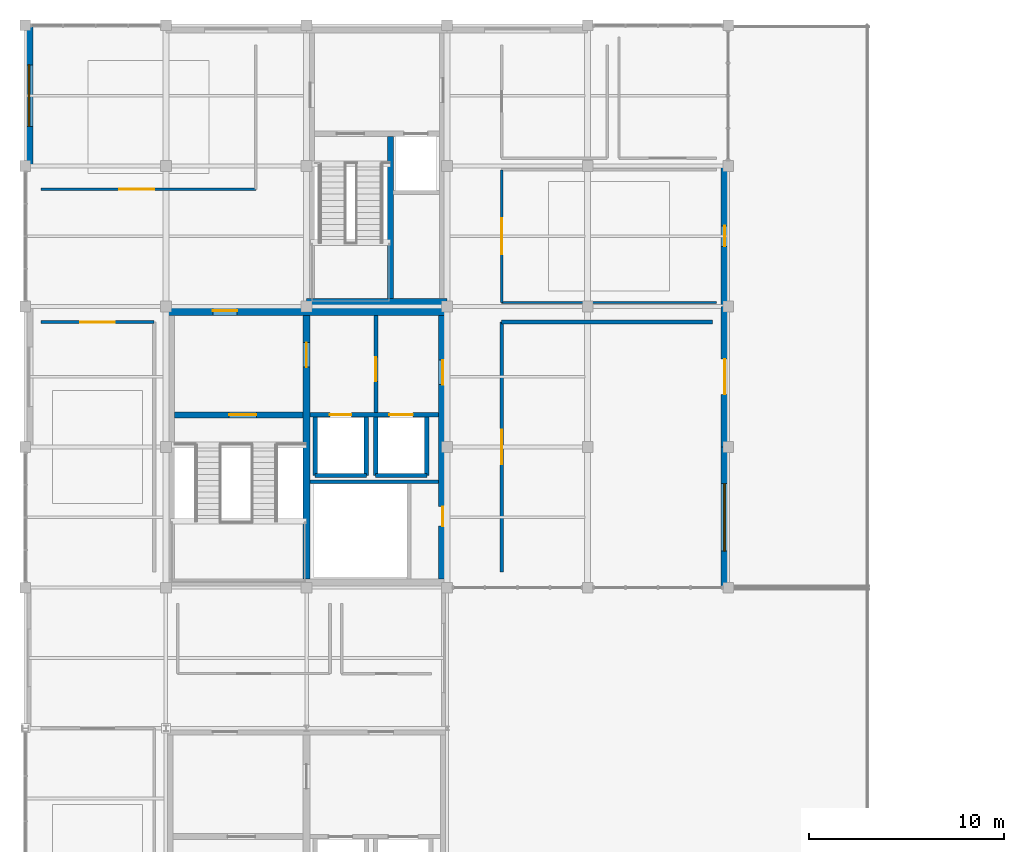
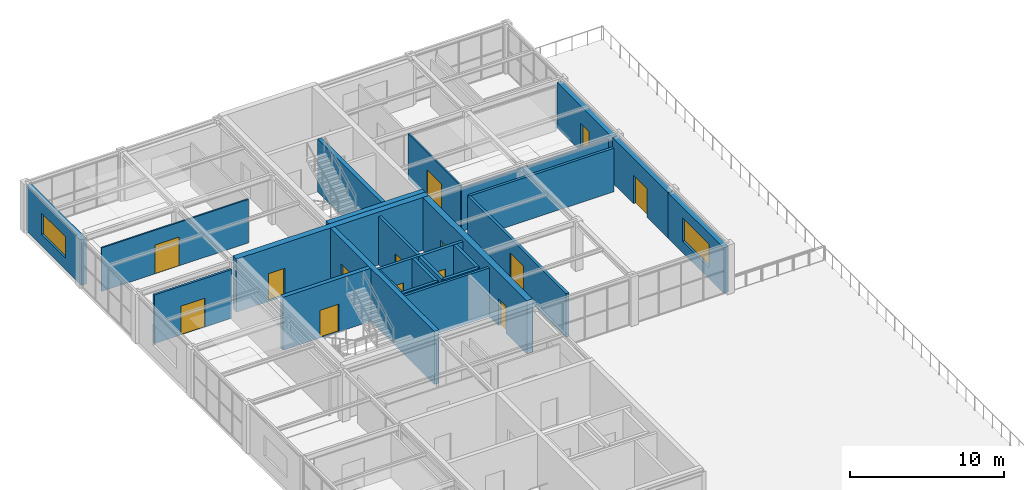
# One storey, part 22 of 30: 25 walls, 14 doors, 2 windows, 16 openings.
"""IFC4 building model written with IfcOpenShell, lengths in metres."""

from ifc_helpers import new_model, si_unit, direction, frame, frame_2d, origin, place, context, subcontext, project, spatial, rectangle, extrude, material, layer, layer_set, type_object, element, fill, save


model = new_model("IFC4")

# Units and contexts
model_context = context("Model", 3, precision=1e-05, world=origin(), true_north=direction((0.0, 1.0)))
body_context = subcontext(model_context, "Body", "Model", "MODEL_VIEW")
ifc_project = project(units=[si_unit("LENGTHUNIT", "METRE"), si_unit("AREAUNIT", "SQUARE_METRE"), si_unit("VOLUMEUNIT", "CUBIC_METRE"), si_unit("PLANEANGLEUNIT", "RADIAN"), si_unit("MASSUNIT", "GRAM", prefix="KILO")], contexts=[model_context])

# Site, building, storey
site_placement = place(None, origin())
site = spatial("IfcSite", under=ifc_project, at=site_placement, CompositionType="ELEMENT")
building_placement = place(site_placement, origin())
building = spatial("IfcBuilding", under=site, at=building_placement, Name="Leyfeld Transit Interchange", CompositionType="ELEMENT")
storey_placement = place(building_placement, frame((0.0, 0.0, 13.800048828125)))
storey = spatial("IfcBuildingStorey", under=building, at=storey_placement, Name="L03", CompositionType="ELEMENT", Elevation=13.800048828125)

# Wall, opening, window
ifc_material_1 = material(Name="Clinker brick masonry - Insulated", Category="masonry")
ifc_layer_1 = layer(ifc_material_1, 0.3798828125, Name="Clinker brick masonry - Insulated")
ifc_layer_set_1 = layer_set([ifc_layer_1], Name="Clinker brick masonry - Insulated")
wall_type_1 = type_object("IfcWallType", Name="WL-EXT-BRK-380", PredefinedType="SOLIDWALL", material=ifc_layer_set_1)
wall_1_placement = place(storey_placement, frame((0.18994140625, 115.199951171875, 0.0), z_axis=(0.0, 0.0, 1.0), x_axis=(0.0, 1.0, 0.0)))
wall_1 = element("IfcWall", 1, at=wall_1_placement, inside=storey, type_object=wall_type_1, Name="External Facade Wall EW-L03-104", PredefinedType="SOLIDWALL", context=body_context, shape_type="SweptSolid", body=[
    extrude(rectangle(XDim=7.199951171875, YDim=0.3798828125, at=frame_2d((3.60009765625, 0.0))), origin(), (0.0, 0.0, 1.0), 3.599853515625),
])
opening_1_placement = place(wall_1_placement, frame((2.02490234375, 0.0, 0.89990234375)))
opening_1 = element("IfcOpeningElement", 2, at=opening_1_placement, cuts=wall_1, Name="Opening WU-20", PredefinedType="OPENING", context=body_context, shape_type="SweptSolid", body=[
    extrude(rectangle(XDim=3.14990234375, YDim=1.699951171875, at=frame_2d((1.574951171875, 0.85009765625))), frame((0.0, 0.199951171875, 0.0), z_axis=(0.0, -1.0, 0.0), x_axis=(1.0, 0.0, 0.0)), (0.0, 0.0, 1.0), 0.39990234375),
])
ifc_material_2 = material(Name="Triple low-E insulated glazing", Category="glass")
window_type_1 = type_object("IfcWindowType", Name="WIN-UNQ-20", PartitioningType="SINGLE_PANEL", PredefinedType="WINDOW", material=ifc_material_2)
window_1_placement = place(opening_1_placement, origin())
window_1 = element("IfcWindow", 3, at=window_1_placement, inside=storey, type_object=window_type_1, Name="Facade Window L03 072", OverallHeight=1.699951171875, OverallWidth=3.14990234375, PartitioningType="SINGLE_PANEL", PredefinedType="WINDOW", context=body_context, shape_type="SweptSolid", body=[
    extrude(rectangle(XDim=3.14990234375, YDim=1.699951171875, at=frame_2d((1.574951171875, 0.85009765625))), frame((0.0, 0.030029296875, 0.0), z_axis=(0.0, -1.0, 0.0), x_axis=(1.0, 0.0, 0.0)), (0.0, 0.0, 1.0), 0.06005859375),
])
fill(opening_1, window_1)

# Wall, opening, door
wall_2_placement = place(storey_placement, frame((35.81005859375, 115.199951171875, 0.0), z_axis=(0.0, 0.0, 1.0), x_axis=(0.0, -1.0, 0.0)))
wall_2 = element("IfcWall", 4, at=wall_2_placement, inside=storey, type_object=wall_type_1, Name="External Facade Wall EW-L03-107", PredefinedType="SOLIDWALL", context=body_context, shape_type="SweptSolid", body=[
    extrude(rectangle(XDim=7.199951171875, YDim=0.3798828125, at=frame_2d((3.60009765625, 0.0))), origin(), (0.0, 0.0, 1.0), 3.599853515625),
])
opening_2_placement = place(wall_2_placement, frame((3.074951171875, 0.0, 0.0)))
opening_2 = element("IfcOpeningElement", 5, at=opening_2_placement, cuts=wall_2, Name="Opening DE-07", PredefinedType="OPENING", context=body_context, shape_type="SweptSolid", body=[
    extrude(rectangle(XDim=1.050048828125, YDim=2.199951171875, at=frame_2d((0.52490234375, 1.10009765625))), frame((0.0, 0.199951171875, 0.0), z_axis=(0.0, -1.0, 0.0), x_axis=(1.0, 0.0, 0.0)), (0.0, 0.0, 1.0), 0.39990234375),
])
ifc_material_3 = material(Name="Anodised aluminium EN AW-6060 T66", Category="aluminium")
door_type_1 = type_object("IfcDoorType", Name="DR-EXT-TER-1050x2200", OperationType="NOTDEFINED", PredefinedType="DOOR", material=ifc_material_3)
door_1_placement = place(opening_2_placement, origin())
door_1 = element("IfcDoor", 6, at=door_1_placement, inside=storey, type_object=door_type_1, Name="DR-TER-L03-019", OperationType="SINGLE_SWING_RIGHT", OverallHeight=2.199951171875, OverallWidth=1.050048828125, PredefinedType="DOOR", context=body_context, shape_type="SweptSolid", body=[
    extrude(rectangle(XDim=1.050048828125, YDim=2.199951171875, at=frame_2d((0.52490234375, 1.10009765625))), frame((0.0, 0.02490234375, 0.0), z_axis=(0.0, -1.0, 0.0), x_axis=(1.0, 0.0, 0.0)), (0.0, 0.0, 1.0), 0.050048828125),
])
fill(opening_2, door_1)

wall_3_placement = place(storey_placement, frame((35.81005859375, 108.0, 0.0), z_axis=(0.0, 0.0, 1.0), x_axis=(0.0, -1.0, 0.0)))
wall_3 = element("IfcWall", 7, at=wall_3_placement, inside=storey, type_object=wall_type_1, Name="External Facade Wall EW-L03-108", PredefinedType="SOLIDWALL", context=body_context, shape_type="SweptSolid", body=[
    extrude(rectangle(XDim=7.199951171875, YDim=0.3798828125, at=frame_2d((3.60009765625, 0.0))), origin(), (0.0, 0.0, 1.0), 3.599853515625),
])
opening_3_placement = place(wall_3_placement, frame((2.699951171875, 0.0, 0.0)))
opening_3 = element("IfcOpeningElement", 8, at=opening_3_placement, cuts=wall_3, Name="Opening DE-06", PredefinedType="OPENING", context=body_context, shape_type="SweptSolid", body=[
    extrude(rectangle(XDim=1.800048828125, YDim=2.25, at=frame_2d((0.89990234375, 1.125))), frame((0.0, 0.199951171875, 0.0), z_axis=(0.0, -1.0, 0.0), x_axis=(1.0, 0.0, 0.0)), (0.0, 0.0, 1.0), 0.39990234375),
])
door_type_2 = type_object("IfcDoorType", Name="DR-EXT-TER-1800x2250", OperationType="NOTDEFINED", PredefinedType="DOOR", material=ifc_material_3)
door_2_placement = place(opening_3_placement, origin())
door_2 = element("IfcDoor", 9, at=door_2_placement, inside=storey, type_object=door_type_2, Name="DR-TER-L03-020", OperationType="SINGLE_SWING_LEFT", OverallHeight=2.25, OverallWidth=1.800048828125, PredefinedType="DOOR", context=body_context, shape_type="SweptSolid", body=[
    extrude(rectangle(XDim=1.800048828125, YDim=2.25, at=frame_2d((0.89990234375, 1.125))), frame((0.0, 0.02490234375, 0.0), z_axis=(0.0, -1.0, 0.0), x_axis=(1.0, 0.0, 0.0)), (0.0, 0.0, 1.0), 0.050048828125),
])
fill(opening_3, door_2)

# Wall, opening, window
wall_4_placement = place(storey_placement, frame((35.81005859375, 100.800048828125, 0.0), z_axis=(0.0, 0.0, 1.0), x_axis=(0.0, -1.0, 0.0)))
wall_4 = element("IfcWall", 10, at=wall_4_placement, inside=storey, type_object=wall_type_1, Name="External Facade Wall EW-L03-109", PredefinedType="SOLIDWALL", context=body_context, shape_type="SweptSolid", body=[
    extrude(rectangle(XDim=7.199951171875, YDim=0.3798828125, at=frame_2d((3.60009765625, 0.0))), origin(), (0.0, 0.0, 1.0), 3.599853515625),
])
opening_4_placement = place(wall_4_placement, frame((1.875, 0.0, 0.89990234375)))
opening_4 = element("IfcOpeningElement", 11, at=opening_4_placement, cuts=wall_4, Name="Opening WU-23", PredefinedType="OPENING", context=body_context, shape_type="SweptSolid", body=[
    extrude(rectangle(XDim=3.449951171875, YDim=1.85009765625, at=frame_2d((1.72509765625, 0.925048828125))), frame((0.0, 0.199951171875, 0.0), z_axis=(0.0, -1.0, 0.0), x_axis=(1.0, 0.0, 0.0)), (0.0, 0.0, 1.0), 0.39990234375),
])
window_type_2 = type_object("IfcWindowType", Name="WIN-UNQ-23", PartitioningType="SINGLE_PANEL", PredefinedType="WINDOW", material=ifc_material_2)
window_2_placement = place(opening_4_placement, origin())
window_2 = element("IfcWindow", 12, at=window_2_placement, inside=storey, type_object=window_type_2, Name="Facade Window L03 075", OverallHeight=1.85009765625, OverallWidth=3.449951171875, PartitioningType="SINGLE_PANEL", PredefinedType="WINDOW", context=body_context, shape_type="SweptSolid", body=[
    extrude(rectangle(XDim=3.449951171875, YDim=1.85009765625, at=frame_2d((1.72509765625, 0.925048828125))), frame((0.0, 0.030029296875, 0.0), z_axis=(0.0, -1.0, 0.0), x_axis=(1.0, 0.0, 0.0)), (0.0, 0.0, 1.0), 0.06005859375),
])
fill(opening_4, window_2)

# Wall, opening, door
ifc_material_4 = material(Name="Gypsum plasterboard acoustic stud", Category="gypsum")
ifc_layer_2 = layer(ifc_material_4, 0.159912109375, Name="Gypsum plasterboard acoustic stud")
ifc_layer_set_2 = layer_set([ifc_layer_2], Name="Gypsum plasterboard acoustic stud")
wall_type_2 = type_object("IfcWallType", Name="WL-INT-ACU-160", PredefinedType="PARTITIONING", material=ifc_layer_set_2)
wall_5_placement = place(storey_placement, frame((0.800048828125, 107.199951171875, 0.0), z_axis=(0.0, 0.0, 1.0), x_axis=(1.0, 0.0, 0.0)))
wall_5 = element("IfcWall", 13, at=wall_5_placement, inside=storey, type_object=wall_type_2, Name="Interior Partition L03-CRI-01 N", PredefinedType="PARTITIONING", context=body_context, shape_type="SweptSolid", body=[
    extrude(rectangle(XDim=5.800048828125, YDim=0.159912109375, at=frame_2d((2.89990234375, 0.0))), origin(), (0.0, 0.0, 1.0), 3.849853515625),
])
opening_5_placement = place(wall_5_placement, frame((2.010009765625, 0.0, 0.0)))
opening_5 = element("IfcOpeningElement", 14, at=opening_5_placement, cuts=wall_5, Name="Opening DU-19", PredefinedType="OPENING", context=body_context, shape_type="SweptSolid", body=[
    extrude(rectangle(XDim=1.780029296875, YDim=2.280029296875, at=frame_2d((0.89013671875, 1.14013671875))), frame((0.0, 0.08984375, 0.0), z_axis=(0.0, -1.0, 0.0), x_axis=(1.0, 0.0, 0.0)), (0.0, 0.0, 1.0), 0.179931640625),
])
ifc_material_5 = material(Name="Austrian larch glulam GL28h", Category="wood")
door_type_3 = type_object("IfcDoorType", Name="DR-UNQ-19", OperationType="NOTDEFINED", PredefinedType="DOOR", material=ifc_material_5)
door_3_placement = place(opening_5_placement, origin())
door_3 = element("IfcDoor", 15, at=door_3_placement, inside=storey, type_object=door_type_3, Name="DR-L03-CRI-01", OperationType="DOUBLE_DOOR_SINGLE_SWING", OverallHeight=2.280029296875, OverallWidth=1.780029296875, PredefinedType="DOOR", context=body_context, shape_type="SweptSolid", body=[
    extrude(rectangle(XDim=1.780029296875, YDim=2.280029296875, at=frame_2d((0.89013671875, 1.14013671875))), frame((0.0, 0.02490234375, 0.0), z_axis=(0.0, -1.0, 0.0), x_axis=(1.0, 0.0, 0.0)), (0.0, 0.0, 1.0), 0.050048828125),
])
fill(opening_5, door_3)

ifc_material_6 = material(Name="Concrete C35/45", Category="concrete")
ifc_layer_3 = layer(ifc_material_6, 0.199951171875, Name="Concrete C35/45")
ifc_layer_set_3 = layer_set([ifc_layer_3], Name="Concrete C35/45")
wall_type_3 = type_object("IfcWallType", Name="WL-INT-FFL-200", PredefinedType="PARTITIONING", material=ifc_layer_set_3)
wall_6_placement = place(storey_placement, frame((17.949951171875, 102.56005859375, 0.0), z_axis=(0.0, 0.0, 1.0), x_axis=(0.0, 1.0, 0.0)))
wall_6 = element("IfcWall", 16, at=wall_6_placement, inside=storey, type_object=wall_type_3, Name="Core K1 Firefighting Lobby Compartment Wall L03", PredefinedType="PARTITIONING", context=body_context, shape_type="SweptSolid", body=[
    extrude(rectangle(XDim=4.989990234375, YDim=0.199951171875, at=frame_2d((2.4951171875, 0.0))), origin(), (0.0, 0.0, 1.0), 3.849853515625),
])
opening_6_placement = place(wall_6_placement, frame((1.60009765625, 0.0, 0.0)))
opening_6 = element("IfcOpeningElement", 17, at=opening_6_placement, cuts=wall_6, Name="Opening DI-02", PredefinedType="OPENING", context=body_context, shape_type="SweptSolid", body=[
    extrude(rectangle(XDim=1.25, YDim=2.199951171875, at=frame_2d((0.625, 1.10009765625))), frame((0.0, 0.10986328125, 0.0), z_axis=(0.0, -1.0, 0.0), x_axis=(1.0, 0.0, 0.0)), (0.0, 0.0, 1.0), 0.219970703125),
])
ifc_material_7 = material(Name="Galvanised steel S275JR", Category="steel")
door_type_4 = type_object("IfcDoorType", Name="DR-FFL-1250x2200", OperationType="NOTDEFINED", PredefinedType="DOOR", material=ifc_material_7)
door_4_placement = place(opening_6_placement, origin())
door_4 = element("IfcDoor", 18, at=door_4_placement, inside=storey, type_object=door_type_4, Name="DR-FFL-CON-K1-L03", OperationType="SINGLE_SWING_RIGHT", OverallHeight=2.199951171875, OverallWidth=1.25, PredefinedType="DOOR", context=body_context, shape_type="SweptSolid", body=[
    extrude(rectangle(XDim=1.25, YDim=2.199951171875, at=frame_2d((0.625, 1.10009765625))), frame((0.0, 0.02490234375, 0.0), z_axis=(0.0, -1.0, 0.0), x_axis=(1.0, 0.0, 0.0)), (0.0, 0.0, 1.0), 0.050048828125),
])
fill(opening_6, door_4)

# Wall
wall_7_placement = place(storey_placement, frame((24.39990234375, 107.199951171875, 0.0), z_axis=(0.0, 0.0, 1.0), x_axis=(1.0, 0.0, 0.0)))
element("IfcWall", 19, at=wall_7_placement, inside=storey, type_object=wall_type_3, Name="Interior Partition L03-OCC-01 N", PredefinedType="PARTITIONING", context=body_context, shape_type="SweptSolid", body=[
    extrude(rectangle(XDim=10.800048828125, YDim=0.199951171875, at=frame_2d((5.39990234375, 0.0))), origin(), (0.0, 0.0, 1.0), 3.449951171875),
])

# Wall, opening, door
wall_8_placement = place(storey_placement, frame((24.39990234375, 94.39990234375, 0.0), z_axis=(0.0, 0.0, 1.0), x_axis=(0.0, 1.0, 0.0)))
wall_8 = element("IfcWall", 20, at=wall_8_placement, inside=storey, type_object=wall_type_3, Name="Interior Partition L03-OCC-01 W", PredefinedType="PARTITIONING", context=body_context, shape_type="SweptSolid", body=[
    extrude(rectangle(XDim=12.800048828125, YDim=0.199951171875, at=frame_2d((6.39990234375, 0.0))), origin(), (0.0, 0.0, 1.0), 3.449951171875),
])
opening_7_placement = place(wall_8_placement, frame((5.510009765625, 0.0, 0.0)))
opening_7 = element("IfcOpeningElement", 21, at=opening_7_placement, cuts=wall_8, Name="Opening DU-19", PredefinedType="OPENING", context=body_context, shape_type="SweptSolid", body=[
    extrude(rectangle(XDim=1.780029296875, YDim=2.280029296875, at=frame_2d((0.89013671875, 1.14013671875))), frame((0.0, 0.10986328125, 0.0), z_axis=(0.0, -1.0, 0.0), x_axis=(1.0, 0.0, 0.0)), (0.0, 0.0, 1.0), 0.219970703125),
])
door_5_placement = place(opening_7_placement, origin())
door_5 = element("IfcDoor", 22, at=door_5_placement, inside=storey, type_object=door_type_3, Name="DR-L03-OCC-01", OperationType="DOUBLE_DOOR_SINGLE_SWING", OverallHeight=2.280029296875, OverallWidth=1.780029296875, PredefinedType="DOOR", context=body_context, shape_type="SweptSolid", body=[
    extrude(rectangle(XDim=1.780029296875, YDim=2.280029296875, at=frame_2d((0.89013671875, 1.14013671875))), frame((0.0, 0.02490234375, 0.0), z_axis=(0.0, -1.0, 0.0), x_axis=(1.0, 0.0, 0.0)), (0.0, 0.0, 1.0), 0.050048828125),
])
fill(opening_7, door_5)

ifc_layer_4 = layer(ifc_material_4, 0.114990234375, Name="Gypsum plasterboard acoustic stud")
ifc_layer_set_4 = layer_set([ifc_layer_4], Name="Gypsum plasterboard acoustic stud")
wall_type_4 = type_object("IfcWallType", Name="WL-INT-OFF-115", PredefinedType="PARTITIONING", material=ifc_layer_set_4)
wall_9_placement = place(storey_placement, frame((11.800048828125, 114.0, 0.0), z_axis=(0.0, 0.0, 1.0), x_axis=(-1.0, 0.0, 0.0)))
wall_9 = element("IfcWall", 23, at=wall_9_placement, inside=storey, type_object=wall_type_4, Name="Interior Partition L03-SUP-02 S", PredefinedType="PARTITIONING", context=body_context, shape_type="SweptSolid", body=[
    extrude(rectangle(XDim=11.0, YDim=0.114990234375, at=frame_2d((5.5, 0.0))), origin(), (0.0, 0.0, 1.0), 3.449951171875),
])
opening_8_placement = place(wall_9_placement, frame((5.2099609375, 0.0, 0.0)))
opening_8 = element("IfcOpeningElement", 24, at=opening_8_placement, cuts=wall_9, Name="Opening DU-19", PredefinedType="OPENING", context=body_context, shape_type="SweptSolid", body=[
    extrude(rectangle(XDim=1.780029296875, YDim=2.280029296875, at=frame_2d((0.89013671875, 1.14013671875))), frame((0.0, 0.0673828125, 0.0), z_axis=(0.0, -1.0, 0.0), x_axis=(1.0, 0.0, 0.0)), (0.0, 0.0, 1.0), 0.135009765625),
])
door_6_placement = place(opening_8_placement, origin())
door_6 = element("IfcDoor", 25, at=door_6_placement, inside=storey, type_object=door_type_3, Name="DR-L03-SUP-02", OperationType="DOUBLE_DOOR_SINGLE_SWING", OverallHeight=2.280029296875, OverallWidth=1.780029296875, PredefinedType="DOOR", context=body_context, shape_type="SweptSolid", body=[
    extrude(rectangle(XDim=1.780029296875, YDim=2.280029296875, at=frame_2d((0.89013671875, 1.14013671875))), frame((0.0, 0.02490234375, 0.0), z_axis=(0.0, -1.0, 0.0), x_axis=(1.0, 0.0, 0.0)), (0.0, 0.0, 1.0), 0.050048828125),
])
fill(opening_8, door_6)

# Wall
wall_10_placement = place(storey_placement, frame((35.39990234375, 108.199951171875, 0.0), z_axis=(0.0, 0.0, 1.0), x_axis=(-1.0, 0.0, 0.0)))
element("IfcWall", 26, at=wall_10_placement, inside=storey, type_object=wall_type_4, Name="Interior Partition L03-OFF-V5 S", PredefinedType="PARTITIONING", context=body_context, shape_type="SweptSolid", body=[
    extrude(rectangle(XDim=11.0, YDim=0.114990234375, at=frame_2d((5.5, 0.0))), origin(), (0.0, 0.0, 1.0), 3.449951171875),
])

# Wall, opening, door
wall_11_placement = place(storey_placement, frame((24.39990234375, 108.199951171875, 0.0), z_axis=(0.0, 0.0, 1.0), x_axis=(0.0, 1.0, 0.0)))
wall_11 = element("IfcWall", 27, at=wall_11_placement, inside=storey, type_object=wall_type_4, Name="Interior Partition L03-OFF-V5 W", PredefinedType="PARTITIONING", context=body_context, shape_type="SweptSolid", body=[
    extrude(rectangle(XDim=6.800048828125, YDim=0.114990234375, at=frame_2d((3.39990234375, 0.0))), origin(), (0.0, 0.0, 1.0), 3.6298828125),
])
opening_9_placement = place(wall_11_placement, frame((2.47998046875, 0.0, 0.0)))
opening_9 = element("IfcOpeningElement", 28, at=opening_9_placement, cuts=wall_11, Name="Opening DU-20", PredefinedType="OPENING", context=body_context, shape_type="SweptSolid", body=[
    extrude(rectangle(XDim=1.840087890625, YDim=2.239990234375, at=frame_2d((0.919921875, 1.1201171875))), frame((0.0, 0.0673828125, 0.0), z_axis=(0.0, -1.0, 0.0), x_axis=(1.0, 0.0, 0.0)), (0.0, 0.0, 1.0), 0.135009765625),
])
door_type_5 = type_object("IfcDoorType", Name="DR-UNQ-20", OperationType="NOTDEFINED", PredefinedType="DOOR", material=ifc_material_5)
door_7_placement = place(opening_9_placement, origin())
door_7 = element("IfcDoor", 29, at=door_7_placement, inside=storey, type_object=door_type_5, Name="DR-L03-OFF-V5", OperationType="DOUBLE_DOOR_SINGLE_SWING", OverallHeight=2.239990234375, OverallWidth=1.840087890625, PredefinedType="DOOR", context=body_context, shape_type="SweptSolid", body=[
    extrude(rectangle(XDim=1.840087890625, YDim=2.239990234375, at=frame_2d((0.919921875, 1.1201171875))), frame((0.0, 0.02490234375, 0.0), z_axis=(0.0, -1.0, 0.0), x_axis=(1.0, 0.0, 0.0)), (0.0, 0.0, 1.0), 0.050048828125),
])
fill(opening_9, door_7)

# Wall
ifc_material_8 = material(Name="Calcium silicate masonry", Category="masonry")
ifc_layer_5 = layer(ifc_material_8, 0.18994140625, Name="Calcium silicate masonry")
ifc_layer_set_5 = layer_set([ifc_layer_5], Name="Calcium silicate masonry")
wall_type_5 = type_object("IfcWallType", Name="WL-INT-PLT-190", PredefinedType="PARTITIONING", material=ifc_layer_set_5)
wall_12_placement = place(storey_placement, frame((14.580078125, 99.02001953125, 0.0), z_axis=(0.0, 0.0, 1.0), x_axis=(1.0, 0.0, 0.0)))
element("IfcWall", 30, at=wall_12_placement, inside=storey, type_object=wall_type_5, Name="Core K1 Riser Compartment Wall L03", PredefinedType="PARTITIONING", context=body_context, shape_type="SweptSolid", body=[
    extrude(rectangle(XDim=6.56982421875, YDim=0.18994140625, at=frame_2d((3.284912109375, 0.0))), origin(), (0.0, 0.0, 1.0), 3.849853515625),
])

# Wall, openings, doors
ifc_layer_6 = layer(ifc_material_6, 0.219970703125, Name="Concrete C35/45")
ifc_layer_set_6 = layer_set([ifc_layer_6], Name="Concrete C35/45")
wall_type_6 = type_object("IfcWallType", Name="WL-INT-SHF-220", PredefinedType="PARTITIONING", material=ifc_layer_set_6)
wall_13_placement = place(storey_placement, frame((14.580078125, 102.449951171875, 0.0), z_axis=(0.0, 0.0, 1.0), x_axis=(1.0, 0.0, 0.0)))
wall_13 = element("IfcWall", 31, at=wall_13_placement, inside=storey, type_object=wall_type_6, Name="Core K1 Lift Shaft Front Wall L03", PredefinedType="PARTITIONING", context=body_context, shape_type="SweptSolid", body=[
    extrude(rectangle(XDim=6.56982421875, YDim=0.219970703125, at=frame_2d((3.284912109375, 0.0))), origin(), (0.0, 0.0, 1.0), 3.849853515625),
])
opening_10_placement = place(wall_13_placement, frame((1.02001953125, 0.0, 0.0)))
opening_10 = element("IfcOpeningElement", 32, at=opening_10_placement, cuts=wall_13, Name="Opening LD-01", PredefinedType="OPENING", context=body_context, shape_type="SweptSolid", body=[
    extrude(rectangle(XDim=1.10009765625, YDim=2.14990234375, at=frame_2d((0.550048828125, 1.074951171875))), frame((0.0, 0.119873046875, 0.0), z_axis=(0.0, -1.0, 0.0), x_axis=(1.0, 0.0, 0.0)), (0.0, 0.0, 1.0), 0.239990234375),
])
opening_11_placement = place(wall_13_placement, frame((4.070068359375, 0.0, 0.0)))
opening_11 = element("IfcOpeningElement", 33, at=opening_11_placement, cuts=wall_13, Name="Opening LD-02", PredefinedType="OPENING", context=body_context, shape_type="SweptSolid", body=[
    extrude(rectangle(XDim=1.199951171875, YDim=2.14990234375, at=frame_2d((0.60009765625, 1.074951171875))), frame((0.0, 0.119873046875, 0.0), z_axis=(0.0, -1.0, 0.0), x_axis=(1.0, 0.0, 0.0)), (0.0, 0.0, 1.0), 0.239990234375),
])
ifc_material_9 = material(Name="Stainless steel EN 1.4404", Category="steel")
door_type_6 = type_object("IfcDoorType", Name="DR-LD-FFL-1100x2150", OperationType="NOTDEFINED", PredefinedType="DOOR", material=ifc_material_9)
door_8_placement = place(opening_10_placement, origin())
door_8 = element("IfcDoor", 34, at=door_8_placement, inside=storey, type_object=door_type_6, Name="LD-FFL-1-L03", OperationType="DOUBLE_DOOR_SLIDING", OverallHeight=2.14990234375, OverallWidth=1.10009765625, PredefinedType="DOOR", context=body_context, shape_type="SweptSolid", body=[
    extrude(rectangle(XDim=1.10009765625, YDim=2.14990234375, at=frame_2d((0.550048828125, 1.074951171875))), frame((0.0, 0.02490234375, 0.0), z_axis=(0.0, -1.0, 0.0), x_axis=(1.0, 0.0, 0.0)), (0.0, 0.0, 1.0), 0.050048828125),
])
fill(opening_10, door_8)
door_type_7 = type_object("IfcDoorType", Name="DR-LD-PAS-1200x2150", OperationType="NOTDEFINED", PredefinedType="DOOR", material=ifc_material_9)
door_9_placement = place(opening_11_placement, origin())
door_9 = element("IfcDoor", 35, at=door_9_placement, inside=storey, type_object=door_type_7, Name="LD-PL-1-L03", OperationType="DOUBLE_DOOR_SLIDING", OverallHeight=2.14990234375, OverallWidth=1.199951171875, PredefinedType="DOOR", context=body_context, shape_type="SweptSolid", body=[
    extrude(rectangle(XDim=1.199951171875, YDim=2.14990234375, at=frame_2d((0.60009765625, 1.074951171875))), frame((0.0, 0.02490234375, 0.0), z_axis=(0.0, -1.0, 0.0), x_axis=(1.0, 0.0, 0.0)), (0.0, 0.0, 1.0), 0.050048828125),
])
fill(opening_11, door_9)

# Walls
wall_14_placement = place(storey_placement, frame((14.840087890625, 99.340087890625, 0.0), z_axis=(0.0, 0.0, 1.0), x_axis=(1.0, 0.0, 0.0)))
element("IfcWall", 36, at=wall_14_placement, inside=storey, type_object=wall_type_6, Name="Core K1 Lift FFL-1 Shaft Back Wall L03", PredefinedType="PARTITIONING", context=body_context, shape_type="SweptSolid", body=[
    extrude(rectangle(XDim=2.619873046875, YDim=0.219970703125, at=frame_2d((1.31005859375, 0.0))), origin(), (0.0, 0.0, 1.0), 3.849853515625),
])
for number, where, z_axis, x_axis, name in (
    (37, (14.840087890625, 99.340087890625, 0.0), (0.0, 0.0, 1.0), (0.0, 1.0, 0.0), "Core K1 Lift FFL-1 Shaft Wall W L03"),
    (38, (17.4599609375, 99.340087890625, 0.0), (0.0, 0.0, 1.0), (0.0, 1.0, 0.0), "Core K1 Lift FFL-1 Shaft Wall E L03"),
):
    element("IfcWall", number, at=place(storey_placement, frame(where, z_axis=z_axis, x_axis=x_axis)), inside=storey, type_object=wall_type_6, Name=name, PredefinedType="PARTITIONING", context=body_context, shape_type="SweptSolid", body=[
        extrude(rectangle(XDim=3.0, YDim=0.219970703125, at=frame_2d((1.5, 0.0))), origin(), (0.0, 0.0, 1.0), 3.849853515625),
    ])
wall_15_placement = place(storey_placement, frame((17.93994140625, 99.340087890625, 0.0), z_axis=(0.0, 0.0, 1.0), x_axis=(1.0, 0.0, 0.0)))
element("IfcWall", 39, at=wall_15_placement, inside=storey, type_object=wall_type_6, Name="Core K1 Lift PL-1 Shaft Back Wall L03", PredefinedType="PARTITIONING", context=body_context, shape_type="SweptSolid", body=[
    extrude(rectangle(XDim=2.6201171875, YDim=0.219970703125, at=frame_2d((1.31005859375, 0.0))), origin(), (0.0, 0.0, 1.0), 3.849853515625),
])
for number, where, z_axis, x_axis, name in (
    (40, (17.93994140625, 99.340087890625, 0.0), (0.0, 0.0, 1.0), (0.0, 1.0, 0.0), "Core K1 Lift PL-1 Shaft Wall W L03"),
    (41, (20.56005859375, 99.340087890625, 0.0), (0.0, 0.0, 1.0), (0.0, 1.0, 0.0), "Core K1 Lift PL-1 Shaft Wall E L03"),
):
    element("IfcWall", number, at=place(storey_placement, frame(where, z_axis=z_axis, x_axis=x_axis)), inside=storey, type_object=wall_type_6, Name=name, PredefinedType="PARTITIONING", context=body_context, shape_type="SweptSolid", body=[
        extrude(rectangle(XDim=3.0, YDim=0.219970703125, at=frame_2d((1.5, 0.0))), origin(), (0.0, 0.0, 1.0), 3.849853515625),
    ])

# Wall, opening, door
ifc_layer_7 = layer(ifc_material_6, 0.300048828125, Name="Concrete C35/45")
ifc_layer_set_7 = layer_set([ifc_layer_7], Name="Concrete C35/45")
wall_type_7 = type_object("IfcWallType", Name="WL-SH-300", PredefinedType="SHEAR", material=ifc_layer_set_7)
wall_16_placement = place(storey_placement, frame((7.64990234375, 102.449951171875, 0.0), z_axis=(0.0, 0.0, 1.0), x_axis=(1.0, 0.0, 0.0)))
wall_16 = element("IfcWall", 42, at=wall_16_placement, inside=storey, type_object=wall_type_7, Name="Core K1 Shear Wall STRN L03", PredefinedType="SHEAR", context=body_context, shape_type="SweptSolid", body=[
    extrude(rectangle(XDim=6.5751953125, YDim=0.300048828125, at=frame_2d((3.28759765625, 0.0))), origin(), (0.0, 0.0, 1.0), 4.199951171875),
])
opening_12_placement = place(wall_16_placement, frame((2.78759765625, 0.0, 0.0)))
opening_12 = element("IfcOpeningElement", 43, at=opening_12_placement, cuts=wall_16, Name="Opening DI-01", PredefinedType="OPENING", context=body_context, shape_type="SweptSolid", body=[
    extrude(rectangle(XDim=1.39990234375, YDim=2.199951171875, at=frame_2d((0.699951171875, 1.10009765625))), frame((0.0, 0.159912109375, 0.0), z_axis=(0.0, -1.0, 0.0), x_axis=(1.0, 0.0, 0.0)), (0.0, 0.0, 1.0), 0.320068359375),
])
door_type_8 = type_object("IfcDoorType", Name="DR-STR-1400x2200", OperationType="NOTDEFINED", PredefinedType="DOOR", material=ifc_material_7)
door_10_placement = place(opening_12_placement, origin())
door_10 = element("IfcDoor", 44, at=door_10_placement, inside=storey, type_object=door_type_8, Name="DR-STR-INT-K1-L03", OperationType="SINGLE_SWING_LEFT", OverallHeight=2.199951171875, OverallWidth=1.39990234375, PredefinedType="DOOR", context=body_context, shape_type="SweptSolid", body=[
    extrude(rectangle(XDim=1.39990234375, YDim=2.199951171875, at=frame_2d((0.699951171875, 1.10009765625))), frame((0.0, 0.02490234375, 0.0), z_axis=(0.0, -1.0, 0.0), x_axis=(1.0, 0.0, 0.0)), (0.0, 0.0, 1.0), 0.050048828125),
])
fill(opening_12, door_10)

# Wall
wall_17_placement = place(storey_placement, frame((18.699951171875, 116.699951171875, 0.0), z_axis=(0.0, 0.0, 1.0), x_axis=(0.0, -1.0, 0.0)))
element("IfcWall", 45, at=wall_17_placement, inside=storey, type_object=wall_type_7, Name="Core K2 Shear Wall SMID L03", PredefinedType="SHEAR", context=body_context, shape_type="SweptSolid", body=[
    extrude(rectangle(XDim=8.300048828125, YDim=0.300048828125, at=frame_2d((4.14990234375, 0.0))), origin(), (0.0, 0.0, 1.0), 4.199951171875),
])

# Wall, opening, door
ifc_layer_8 = layer(ifc_material_6, 0.35009765625, Name="Concrete C35/45")
ifc_layer_set_8 = layer_set([ifc_layer_8], Name="Concrete C35/45")
wall_type_8 = type_object("IfcWallType", Name="WL-SH-350", PredefinedType="SHEAR", material=ifc_layer_set_8)
wall_18_placement = place(storey_placement, frame((14.39990234375, 107.550048828125, 0.0), z_axis=(0.0, 0.0, 1.0), x_axis=(0.0, -1.0, 0.0)))
wall_18 = element("IfcWall", 46, at=wall_18_placement, inside=storey, type_object=wall_type_8, Name="Core K1 Shear Wall MID L03", PredefinedType="SHEAR", context=body_context, shape_type="SweptSolid", body=[
    extrude(rectangle(XDim=13.5, YDim=0.35009765625, at=frame_2d((6.75, 0.0))), origin(), (0.0, 0.0, 1.0), 4.199951171875),
])
opening_13_placement = place(wall_18_placement, frame((1.39990234375, 0.0, 0.0)))
opening_13 = element("IfcOpeningElement", 47, at=opening_13_placement, cuts=wall_18, Name="Opening DI-02", PredefinedType="OPENING", context=body_context, shape_type="SweptSolid", body=[
    extrude(rectangle(XDim=1.25, YDim=2.199951171875, at=frame_2d((0.625, 1.10009765625))), frame((0.0, 0.18505859375, 0.0), z_axis=(0.0, -1.0, 0.0), x_axis=(1.0, 0.0, 0.0)), (0.0, 0.0, 1.0), 0.3701171875),
])
door_11_placement = place(opening_13_placement, origin())
door_11 = element("IfcDoor", 48, at=door_11_placement, inside=storey, type_object=door_type_4, Name="DR-CORE-MID-K1-L03", OperationType="SINGLE_SWING_RIGHT", OverallHeight=2.199951171875, OverallWidth=1.25, PredefinedType="DOOR", context=body_context, shape_type="SweptSolid", body=[
    extrude(rectangle(XDim=1.25, YDim=2.199951171875, at=frame_2d((0.625, 1.10009765625))), frame((0.0, 0.02490234375, 0.0), z_axis=(0.0, -1.0, 0.0), x_axis=(1.0, 0.0, 0.0)), (0.0, 0.0, 1.0), 0.050048828125),
])
fill(opening_13, door_11)

# Wall
ifc_layer_9 = layer(ifc_material_6, 0.39990234375, Name="Concrete C35/45")
ifc_layer_set_9 = layer_set([ifc_layer_9], Name="Concrete C35/45")
wall_type_9 = type_object("IfcWallType", Name="WL-SH-400", PredefinedType="SHEAR", material=ifc_layer_set_9)
wall_19_placement = place(storey_placement, frame((21.60009765625, 108.199951171875, 0.0), z_axis=(0.0, 0.0, 1.0), x_axis=(-1.0, 0.0, 0.0)))
element("IfcWall", 49, at=wall_19_placement, inside=storey, type_object=wall_type_9, Name="Core K2 Shear Wall S L03", PredefinedType="SHEAR", context=body_context, shape_type="SweptSolid", body=[
    extrude(rectangle(XDim=7.2001953125, YDim=0.39990234375, at=frame_2d((3.60009765625, 0.0))), origin(), (0.0, 0.0, 1.0), 4.199951171875),
])

# Wall, opening, door
ifc_layer_10 = layer(ifc_material_6, 0.449951171875, Name="Concrete C35/45")
ifc_layer_set_10 = layer_set([ifc_layer_10], Name="Concrete C35/45")
wall_type_10 = type_object("IfcWallType", Name="WL-SH-450", PredefinedType="SHEAR", material=ifc_layer_set_10)
wall_20_placement = place(storey_placement, frame((7.199951171875, 107.77490234375, 0.0), z_axis=(0.0, 0.0, 1.0), x_axis=(1.0, 0.0, 0.0)))
wall_20 = element("IfcWall", 50, at=wall_20_placement, inside=storey, type_object=wall_type_10, Name="Core K1 Shear Wall N L03", PredefinedType="SHEAR", context=body_context, shape_type="SweptSolid", body=[
    extrude(rectangle(XDim=14.400146484375, YDim=0.449951171875, at=frame_2d((7.2001953125, 0.0))), origin(), (0.0, 0.0, 1.0), 4.199951171875),
])
opening_14_placement = place(wall_20_placement, frame((2.39990234375, 0.0, 0.0)))
opening_14 = element("IfcOpeningElement", 51, at=opening_14_placement, cuts=wall_20, Name="Opening DI-02", PredefinedType="OPENING", context=body_context, shape_type="SweptSolid", body=[
    extrude(rectangle(XDim=1.25, YDim=2.199951171875, at=frame_2d((0.625, 1.10009765625))), frame((0.0, 0.23486328125, 0.0), z_axis=(0.0, -1.0, 0.0), x_axis=(1.0, 0.0, 0.0)), (0.0, 0.0, 1.0), 0.469970703125),
])
door_12_placement = place(opening_14_placement, origin())
door_12 = element("IfcDoor", 52, at=door_12_placement, inside=storey, type_object=door_type_4, Name="DR-CORE-OUT-K1-L03-N", OperationType="SINGLE_SWING_LEFT", OverallHeight=2.199951171875, OverallWidth=1.25, PredefinedType="DOOR", context=body_context, shape_type="SweptSolid", body=[
    extrude(rectangle(XDim=1.25, YDim=2.199951171875, at=frame_2d((0.625, 1.10009765625))), frame((0.0, 0.02490234375, 0.0), z_axis=(0.0, -1.0, 0.0), x_axis=(1.0, 0.0, 0.0)), (0.0, 0.0, 1.0), 0.050048828125),
])
fill(opening_14, door_12)

# Wall, openings, doors
wall_21_placement = place(storey_placement, frame((21.375, 107.550048828125, 0.0), z_axis=(0.0, 0.0, 1.0), x_axis=(0.0, -1.0, 0.0)))
wall_21 = element("IfcWall", 53, at=wall_21_placement, inside=storey, type_object=wall_type_10, Name="Core K1 Shear Wall E L03", PredefinedType="SHEAR", context=body_context, shape_type="SweptSolid", body=[
    extrude(rectangle(XDim=13.5, YDim=0.449951171875, at=frame_2d((6.75, 0.0))), origin(), (0.0, 0.0, 1.0), 4.199951171875),
])
opening_15_placement = place(wall_21_placement, frame((9.800048828125, 0.0, 0.0)))
opening_15 = element("IfcOpeningElement", 54, at=opening_15_placement, cuts=wall_21, Name="Opening DI-05", PredefinedType="OPENING", context=body_context, shape_type="SweptSolid", body=[
    extrude(rectangle(XDim=1.0, YDim=2.14990234375, at=frame_2d((0.5, 1.074951171875))), frame((0.0, 0.23486328125, 0.0), z_axis=(0.0, -1.0, 0.0), x_axis=(1.0, 0.0, 0.0)), (0.0, 0.0, 1.0), 0.469970703125),
])
opening_16_placement = place(wall_21_placement, frame((2.300048828125, 0.0, 0.0)))
opening_16 = element("IfcOpeningElement", 55, at=opening_16_placement, cuts=wall_21, Name="Opening DI-02", PredefinedType="OPENING", context=body_context, shape_type="SweptSolid", body=[
    extrude(rectangle(XDim=1.25, YDim=2.199951171875, at=frame_2d((0.625, 1.10009765625))), frame((0.0, 0.23486328125, 0.0), z_axis=(0.0, -1.0, 0.0), x_axis=(1.0, 0.0, 0.0)), (0.0, 0.0, 1.0), 0.469970703125),
])
door_13_placement = place(opening_16_placement, origin())
door_13 = element("IfcDoor", 56, at=door_13_placement, inside=storey, type_object=door_type_4, Name="DR-CORE-OUT-K1-L03-E", OperationType="SINGLE_SWING_RIGHT", OverallHeight=2.199951171875, OverallWidth=1.25, PredefinedType="DOOR", context=body_context, shape_type="SweptSolid", body=[
    extrude(rectangle(XDim=1.25, YDim=2.199951171875, at=frame_2d((0.625, 1.10009765625))), frame((0.0, 0.02490234375, 0.0), z_axis=(0.0, -1.0, 0.0), x_axis=(1.0, 0.0, 0.0)), (0.0, 0.0, 1.0), 0.050048828125),
])
fill(opening_16, door_13)
door_type_9 = type_object("IfcDoorType", Name="DR-OFF-1000x2150", OperationType="NOTDEFINED", PredefinedType="DOOR", material=ifc_material_5)
door_14_placement = place(opening_15_placement, origin())
door_14 = element("IfcDoor", 57, at=door_14_placement, inside=storey, type_object=door_type_9, Name="DR-RSR-K1-L03", OperationType="SINGLE_SWING_LEFT", OverallHeight=2.14990234375, OverallWidth=1.0, PredefinedType="DOOR", context=body_context, shape_type="SweptSolid", body=[
    extrude(rectangle(XDim=1.0, YDim=2.14990234375, at=frame_2d((0.5, 1.074951171875))), frame((0.0, 0.02490234375, 0.0), z_axis=(0.0, -1.0, 0.0), x_axis=(1.0, 0.0, 0.0)), (0.0, 0.0, 1.0), 0.050048828125),
])
fill(opening_15, door_14)

save(model, "model.ifc")
